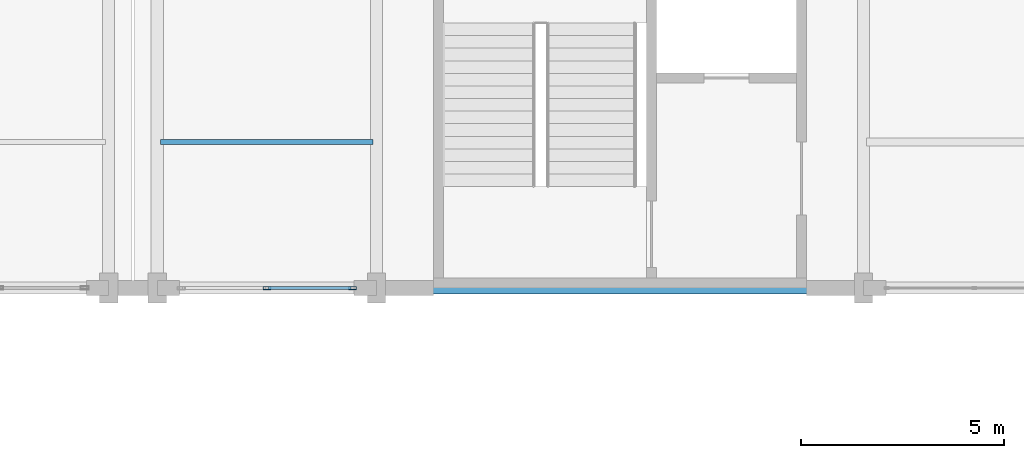
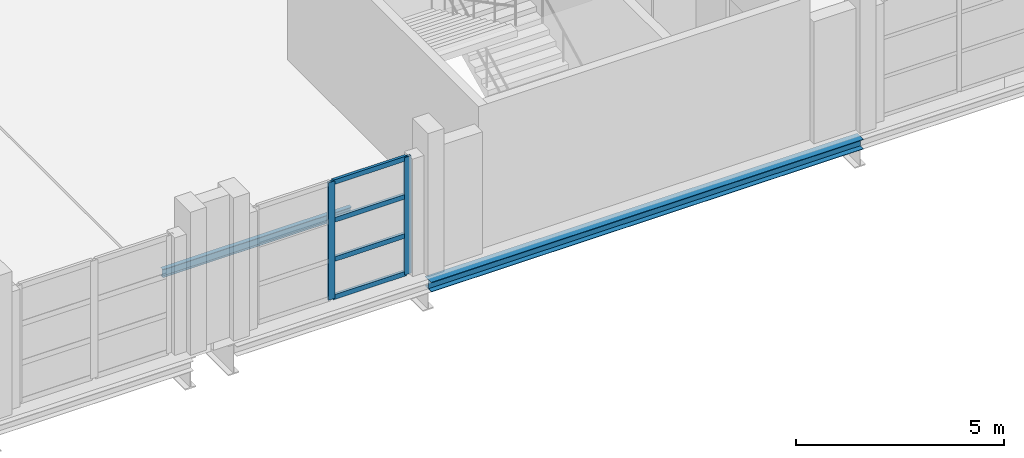
# One storey, part 95 of 147: 6 members, 2 beams, 1 element without a shape of its own.
"""IFC4 building model written with IfcOpenShell, lengths in metres."""

from ifc_helpers import new_model, si_unit, direction, frame, origin, origin_2d, place, context, subcontext, project, spatial, hollow_rectangle, i_section, extrude, material, layer, layer_set, material_profile, profile_set, type_object, element, aggregate, save


model = new_model("IFC4")

# Units and contexts
model_context = context("Model", 3, precision=1e-05, world=origin(), true_north=direction((0.0, 1.0)))
body_context = subcontext(model_context, "Body", "Model", "MODEL_VIEW")
ifc_project = project(units=[si_unit("LENGTHUNIT", "METRE"), si_unit("AREAUNIT", "SQUARE_METRE"), si_unit("VOLUMEUNIT", "CUBIC_METRE"), si_unit("PLANEANGLEUNIT", "RADIAN"), si_unit("MASSUNIT", "GRAM", prefix="KILO")], contexts=[model_context])

# Site, building, storey
site_placement = place(None, origin())
site = spatial("IfcSite", under=ifc_project, at=site_placement, CompositionType="ELEMENT")
building_placement = place(site_placement, origin())
building = spatial("IfcBuilding", under=site, at=building_placement, Name="Zilviju Railside Exhibition Hall", CompositionType="ELEMENT")
storey_placement = place(building_placement, frame((0.0, 0.0, 8.39990234375)))
storey = spatial("IfcBuildingStorey", under=building, at=storey_placement, Name="L03", CompositionType="ELEMENT", Elevation=8.39990234375)

# Beams
ifc_material_1 = material(Name="Steel S355J2", Category="steel")
ifc_material_profile_1 = material_profile(ifc_material_1, i_section(OverallWidth=0.300048828125, OverallDepth=0.2900390625, WebThickness=0.008544921875, FlangeThickness=0.013916015625, at=origin_2d()), Name="HEA 300")
ifc_profile_set_1 = profile_set([ifc_material_profile_1], Name="Steel S355J2")
beam_type_1 = type_object("IfcBeamType", Name="BM-HEA300", PredefinedType="SPANDREL", material=ifc_profile_set_1)
beam_1_placement = place(storey_placement, frame((180.0, 84.0, -0.52490234375), z_axis=(1.0, 0.0, 0.0), x_axis=(0.0, 1.0, 0.0)))
element("IfcBeam", 1, at=beam_1_placement, inside=storey, type_object=beam_type_1, Name="Primary Girder L03 Y=84.0 (180.0..192.0)", PredefinedType="SPANDREL", context=body_context, shape_type="SweptSolid", body=[
    extrude(i_section(OverallWidth=0.300048828125, OverallDepth=0.2900390625, WebThickness=0.008544921875, FlangeThickness=0.013916015625, at=origin_2d()), origin(), (0.0, 0.0, 1.0), 12.0),
])
ifc_material_profile_2 = material_profile(ifc_material_1, i_section(OverallWidth=0.1201171875, OverallDepth=0.239990234375, WebThickness=0.006103515625, FlangeThickness=0.009765625, at=origin_2d()), Name="IPE 240")
ifc_profile_set_2 = profile_set([ifc_material_profile_2], Name="Steel S355J2")
beam_type_2 = type_object("IfcBeamType", Name="BM-IPE240", PredefinedType="JOIST", material=ifc_profile_set_2)
beam_2_placement = place(storey_placement, frame((174.679931640625, 87.60009765625, -0.5), z_axis=(1.0, 0.0, 0.0), x_axis=(0.0, 1.0, 0.0)))
element("IfcBeam", 2, at=beam_2_placement, inside=storey, type_object=beam_type_2, Name="Composite Floor Joist L03 Y=87.60 (174.6..180.0)", PredefinedType="JOIST", context=body_context, shape_type="SweptSolid", body=[
    extrude(i_section(OverallWidth=0.1201171875, OverallDepth=0.239990234375, WebThickness=0.006103515625, FlangeThickness=0.009765625, at=origin_2d()), origin(), (0.0, 0.0, 1.0), 5.239990234375),
])

# Curtain wall, members
ifc_material_2 = material(Name="Thermally broken aluminium-steel triple-glazed curtain wall", Category="steel")
ifc_layer = layer(ifc_material_2, 0.179931640625)
ifc_layer_set = layer_set([ifc_layer], Name="Thermally broken aluminium-steel triple-glazed curtain wall")
curtain_wall_type = type_object("IfcCurtainWallType", Name="CW-BAY-03", PredefinedType="USERDEFINED", material=ifc_layer_set)
curtain_wall_placement = place(storey_placement, origin())
curtain_wall = element("IfcCurtainWall", 3, at=curtain_wall_placement, inside=storey, type_object=curtain_wall_type, Name="North Hall Garden Court Curtain Wall L03 (175..180)", ObjectType="GLAZED CURTAIN WALL", PredefinedType="USERDEFINED")
ifc_material_3 = material(Name="Thermally broken anodized aluminium mullion", Category="aluminium")
ifc_material_profile_3 = material_profile(ifc_material_3, hollow_rectangle(XDim=0.074951171875, YDim=0.18994140625, WallThickness=0.0048828125, at=origin_2d()), Name="MULLION 190x75x5")
ifc_profile_set_3 = profile_set([ifc_material_profile_3], Name="Thermally broken anodized aluminium mullion")
member_type_1 = type_object("IfcMemberType", Name="CWM-75x190", PredefinedType="MULLION", material=ifc_profile_set_3)
member_1_placement = place(storey_placement, frame((179.41259765625, 84.0, 0.0), z_axis=(0.0, 0.0, 1.0), x_axis=(0.0, -1.0, 0.0)))
member_1 = element("IfcMember", 4, at=member_1_placement, type_object=member_type_1, Name="CW-03 mullion 1", PredefinedType="MULLION", context=body_context, shape_type="SweptSolid", body=[
    extrude(hollow_rectangle(XDim=0.074951171875, YDim=0.18994140625, WallThickness=0.0048828125, at=origin_2d()), origin(), (0.0, 0.0, 1.0), 3.4501953125),
])
member_2_placement = place(storey_placement, frame((177.300048828125, 84.0, 0.0), z_axis=(0.0, 0.0, 1.0), x_axis=(0.0, -1.0, 0.0)))
member_2 = element("IfcMember", 5, at=member_2_placement, type_object=member_type_1, Name="CW-03 mullion 2", PredefinedType="MULLION", context=body_context, shape_type="SweptSolid", body=[
    extrude(hollow_rectangle(XDim=0.074951171875, YDim=0.18994140625, WallThickness=0.0048828125, at=origin_2d()), origin(), (0.0, 0.0, 1.0), 3.4501953125),
])
ifc_material_4 = material(Name="Thermally broken anodized aluminium transom", Category="aluminium")
ifc_material_profile_4 = material_profile(ifc_material_4, hollow_rectangle(XDim=0.074951171875, YDim=0.139892578125, WallThickness=0.0048828125, at=origin_2d()), Name="TRANSOM 140x75x5")
ifc_profile_set_4 = profile_set([ifc_material_profile_4], Name="Thermally broken anodized aluminium transom")
member_type_2 = type_object("IfcMemberType", Name="CWT-75x140", PredefinedType="USERDEFINED", material=ifc_profile_set_4)
member_3_placement = place(storey_placement, frame((179.375, 84.0, 0.03759765625), z_axis=(-1.0, 0.0, 0.0), x_axis=(0.0, -1.0, 0.0)))
member_3 = element("IfcMember", 6, at=member_3_placement, type_object=member_type_2, Name="CW-03 transom 1.1", ObjectType="TRANSOM", PredefinedType="USERDEFINED", context=body_context, shape_type="SweptSolid", body=[
    extrude(hollow_rectangle(XDim=0.074951171875, YDim=0.139892578125, WallThickness=0.0048828125, at=origin_2d()), origin(), (0.0, 0.0, 1.0), 2.03759765625),
])
member_4_placement = place(storey_placement, frame((179.375, 84.0, 1.150146484375), z_axis=(-1.0, 0.0, 0.0), x_axis=(0.0, -1.0, 0.0)))
member_4 = element("IfcMember", 7, at=member_4_placement, type_object=member_type_2, Name="CW-03 transom 1.2", ObjectType="TRANSOM", PredefinedType="USERDEFINED", context=body_context, shape_type="SweptSolid", body=[
    extrude(hollow_rectangle(XDim=0.074951171875, YDim=0.139892578125, WallThickness=0.0048828125, at=origin_2d()), origin(), (0.0, 0.0, 1.0), 2.03759765625),
])
member_5_placement = place(storey_placement, frame((179.375, 84.0, 2.300048828125), z_axis=(-1.0, 0.0, 0.0), x_axis=(0.0, -1.0, 0.0)))
member_5 = element("IfcMember", 8, at=member_5_placement, type_object=member_type_2, Name="CW-03 transom 1.3", ObjectType="TRANSOM", PredefinedType="USERDEFINED", context=body_context, shape_type="SweptSolid", body=[
    extrude(hollow_rectangle(XDim=0.074951171875, YDim=0.139892578125, WallThickness=0.0048828125, at=origin_2d()), origin(), (0.0, 0.0, 1.0), 2.03759765625),
])
member_6_placement = place(storey_placement, frame((179.375, 84.0, 3.41259765625), z_axis=(-1.0, 0.0, 0.0), x_axis=(0.0, -1.0, 0.0)))
member_6 = element("IfcMember", 9, at=member_6_placement, type_object=member_type_2, Name="CW-03 transom 1.4", ObjectType="TRANSOM", PredefinedType="USERDEFINED", context=body_context, shape_type="SweptSolid", body=[
    extrude(hollow_rectangle(XDim=0.074951171875, YDim=0.139892578125, WallThickness=0.0048828125, at=origin_2d()), origin(), (0.0, 0.0, 1.0), 2.03759765625),
])
aggregate(curtain_wall, [member_1, member_2, member_3, member_4, member_5, member_6])

save(model, "model.ifc")
